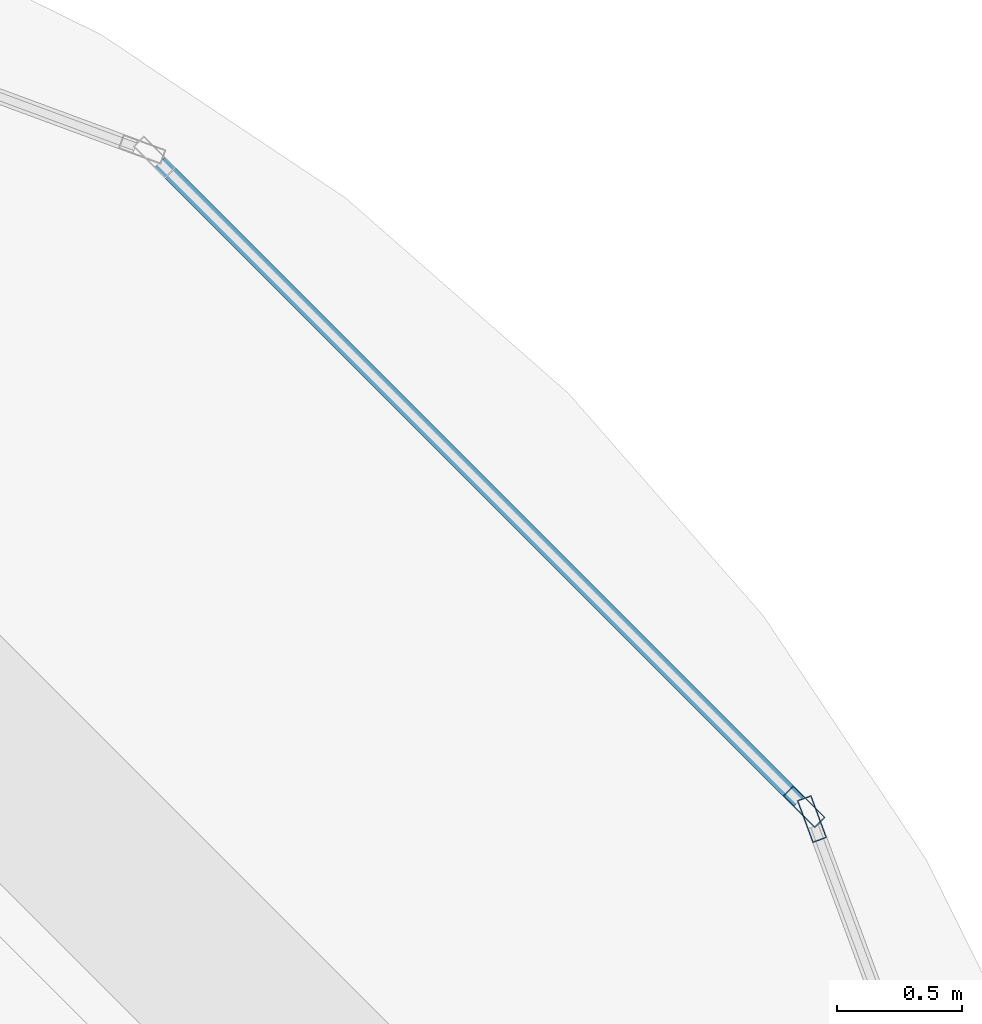
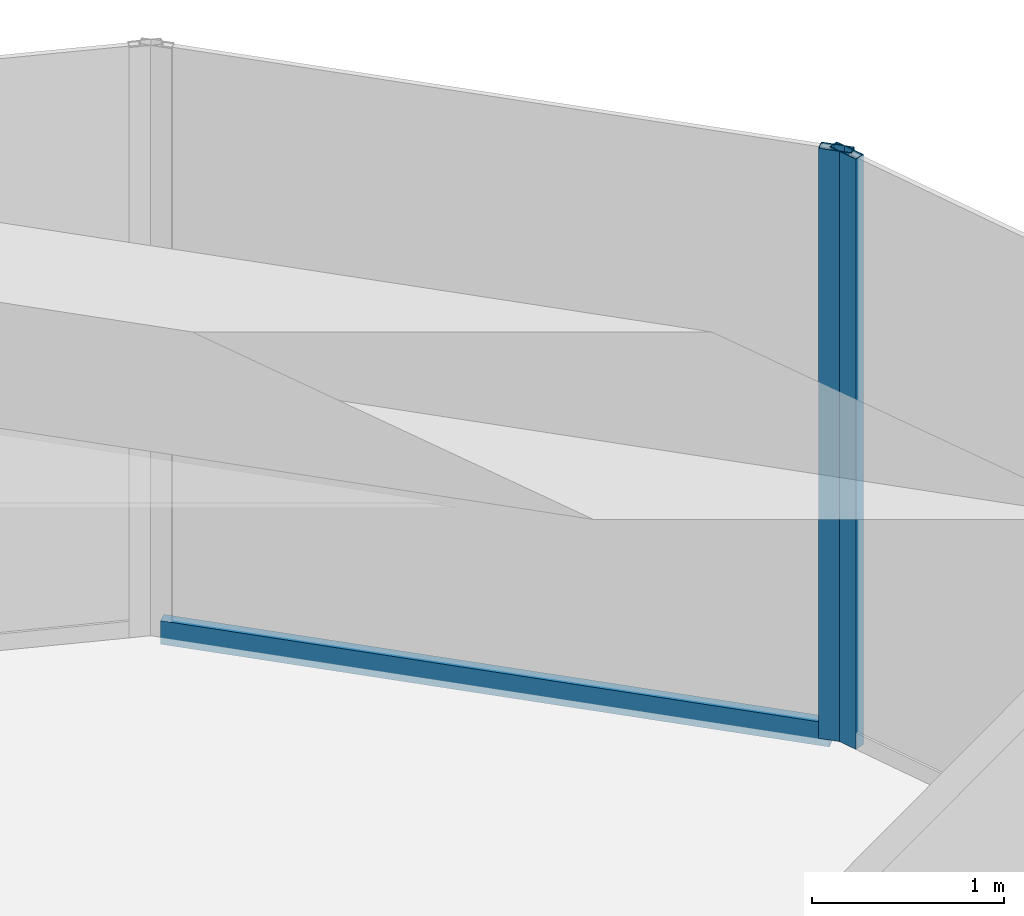
# One storey, part 31 of 39: 3 members, 2 elements without a shape of their own.
"""IFC4 building model written with IfcOpenShell, lengths in metres."""

from ifc_helpers import new_model, si_unit, direction, frame, origin, origin_2d, place, context, subcontext, project, spatial, hollow_rectangle, extrude, material, material_profile, profile_set, type_object, element, aggregate, save


model = new_model("IFC4")

# Units and contexts
model_context = context("Model", 3, precision=1e-05, world=origin(), true_north=direction((0.0, 1.0)))
body_context = subcontext(model_context, "Body", "Model", "MODEL_VIEW")
ifc_project = project(units=[si_unit("LENGTHUNIT", "METRE"), si_unit("AREAUNIT", "SQUARE_METRE"), si_unit("VOLUMEUNIT", "CUBIC_METRE"), si_unit("PLANEANGLEUNIT", "RADIAN"), si_unit("MASSUNIT", "GRAM", prefix="KILO")], contexts=[model_context])

# Site, building, storey
site_placement = place(None, origin())
site = spatial("IfcSite", under=ifc_project, at=site_placement, CompositionType="ELEMENT")
building_placement = place(site_placement, origin())
building = spatial("IfcBuilding", under=site, at=building_placement, Name="Zorevar Civic Tower", CompositionType="ELEMENT")
storey_placement = place(building_placement, frame((0.0, 0.0, 19.800048828125)))
storey = spatial("IfcBuildingStorey", under=building, at=storey_placement, Name="L04", CompositionType="ELEMENT", Elevation=19.800048828125)

# Curtain wall, member
ifc_material_1 = material(Name="Dark grey solar-control glass in black aluminium frame", Category="aluminium")
curtain_wall_type = type_object("IfcCurtainWallType", Name="Curtain wall CW2 low zone", PredefinedType="NOTDEFINED", material=ifc_material_1)
curtain_wall_1_placement = place(storey_placement, origin())
curtain_wall_1 = element("IfcCurtainWall", 1, at=curtain_wall_1_placement, inside=storey, type_object=curtain_wall_type, Name="CW2 L04", PredefinedType="NOTDEFINED")
ifc_material_2 = material(Name="Aluminium, black anodised", Category="aluminium")
ifc_material_profile_1 = material_profile(ifc_material_2, hollow_rectangle(XDim=0.06005859375, YDim=0.179931640625, WallThickness=0.00390625, at=origin_2d()), Name="AL 180x60x4")
ifc_profile_set_1 = profile_set([ifc_material_profile_1], Name="Aluminium, black anodised")
member_type_1 = type_object("IfcMemberType", Name="CW2 mullion AL 180x60x4", PredefinedType="MULLION", material=ifc_profile_set_1)
member_1_placement = place(storey_placement, frame((61.336181640625, 49.66455078125, 0.0), z_axis=(0.0, 0.0, 1.0), x_axis=(-0.937974588163, -0.346704012033, 0.0)))
member_1 = element("IfcMember", 2, at=member_1_placement, type_object=member_type_1, Name="CW2 mullion 2", PredefinedType="MULLION", context=body_context, shape_type="SweptSolid", body=[
    extrude(hollow_rectangle(XDim=0.06005859375, YDim=0.179931640625, WallThickness=0.00390625, at=origin_2d()), origin(), (0.0, 0.0, 1.0), 3.75),
])
aggregate(curtain_wall_1, [member_1])

# Curtain wall, members
curtain_wall_2_placement = place(storey_placement, origin())
curtain_wall_2 = element("IfcCurtainWall", 3, at=curtain_wall_2_placement, inside=storey, type_object=curtain_wall_type, Name="CW2 L04", PredefinedType="NOTDEFINED")
member_2_placement = place(storey_placement, frame((61.3046875, 49.7138671875, 0.0), z_axis=(0.0, 0.0, 1.0), x_axis=(-0.707106781187, -0.707106781187, 0.0)))
member_2 = element("IfcMember", 4, at=member_2_placement, type_object=member_type_1, Name="CW2 mullion 1", PredefinedType="MULLION", context=body_context, shape_type="SweptSolid", body=[
    extrude(hollow_rectangle(XDim=0.06005859375, YDim=0.179931640625, WallThickness=0.00390625, at=origin_2d()), origin(), (0.0, 0.0, 1.0), 3.75),
])
ifc_material_3 = material(Name="Aluminium, black anodised", Category="aluminium")
ifc_material_profile_2 = material_profile(ifc_material_3, hollow_rectangle(XDim=0.06005859375, YDim=0.14990234375, WallThickness=0.00390625, at=origin_2d()), Name="AL 150x60x4")
ifc_profile_set_2 = profile_set([ifc_material_profile_2], Name="Aluminium, black anodised")
member_type_2 = type_object("IfcMemberType", Name="CW2 transom AL 150x60x4", PredefinedType="USERDEFINED", material=ifc_profile_set_2)
member_3_placement = place(storey_placement, frame((61.283447265625, 49.735107421875, 0.030029296875), z_axis=(-0.707106781187, 0.707106781187, 0.0), x_axis=(-0.707106781187, -0.707106781187, 0.0)))
member_3 = element("IfcMember", 5, at=member_3_placement, type_object=member_type_2, Name="CW2 sill transom", ObjectType="TRANSOM", PredefinedType="USERDEFINED", context=body_context, shape_type="SweptSolid", body=[
    extrude(hollow_rectangle(XDim=0.06005859375, YDim=0.14990234375, WallThickness=0.00390625, at=origin_2d()), origin(), (0.0, 0.0, 1.0), 3.60400390625),
])
aggregate(curtain_wall_2, [member_2, member_3])

save(model, "model.ifc")
